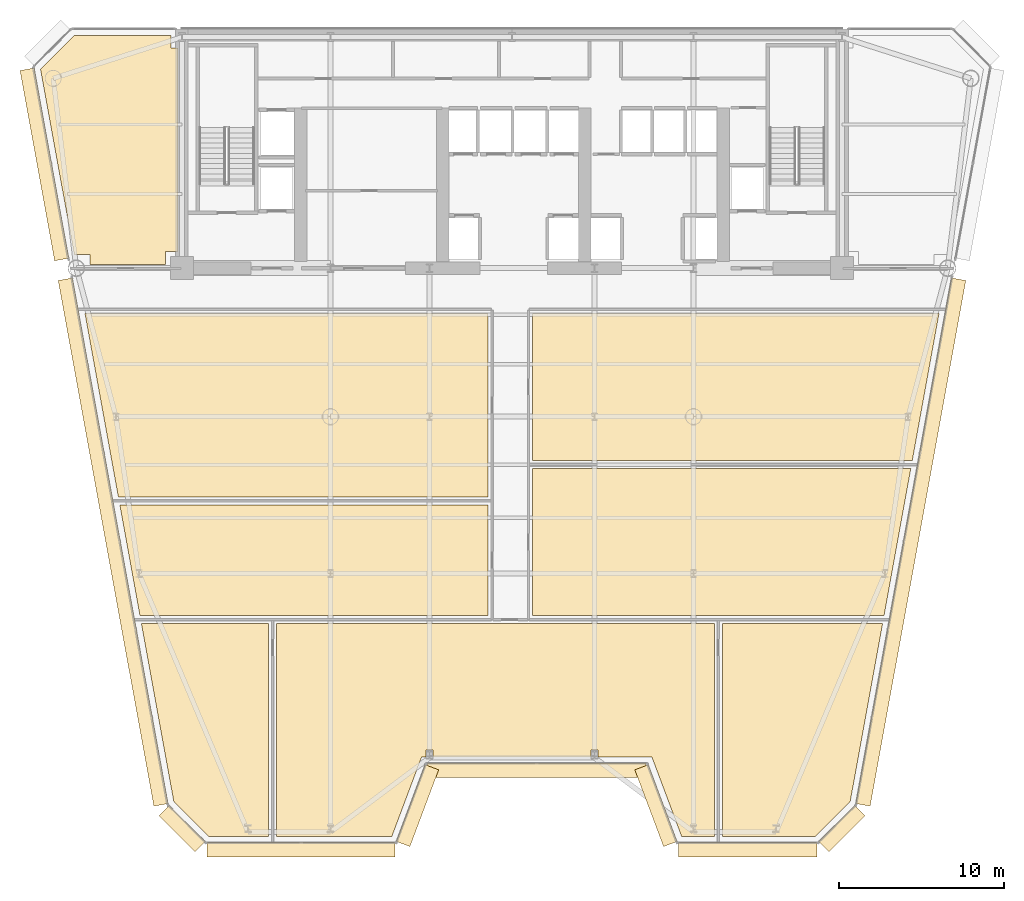
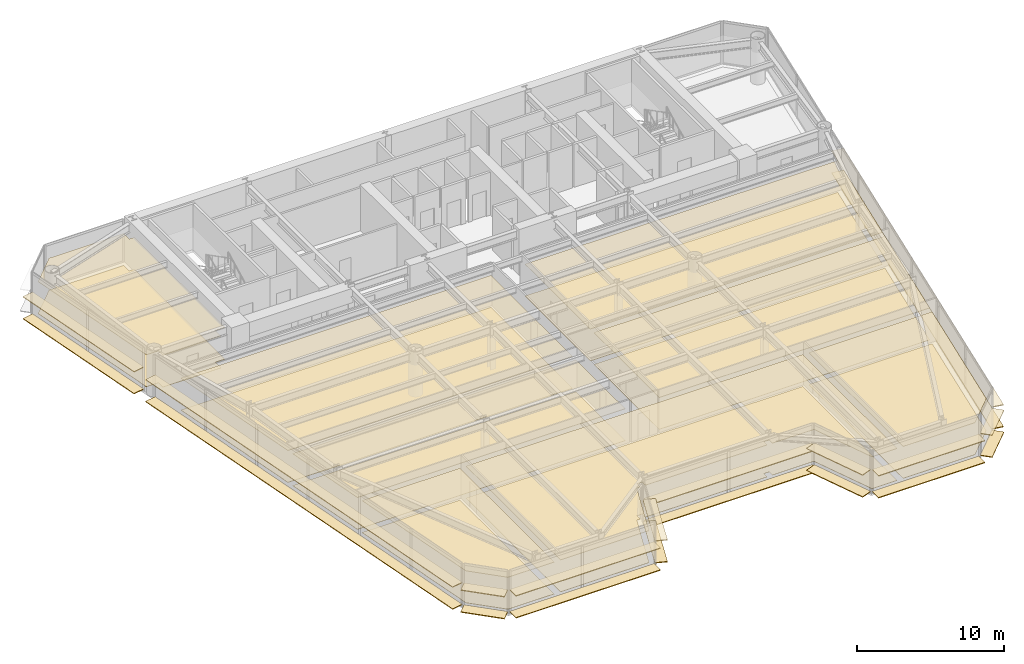
# One storey, part 11 of 14: 36 coverings.
"""IFC4 building model written with IfcOpenShell, lengths in metres."""

from ifc_helpers import new_model, si_unit, direction, frame, origin, origin_2d, place, context, subcontext, project, spatial, polyline, rectangle, outline, extrude, source, transform, mapped, material, layer, layer_set, type_object, element, save


model = new_model("IFC4")

# Units and contexts
model_context = context("Model", 3, precision=1e-05, world=origin(), true_north=direction((0.0, 1.0)))
body_context = subcontext(model_context, "Body", "Model", "MODEL_VIEW")
ifc_project = project(units=[si_unit("LENGTHUNIT", "METRE"), si_unit("AREAUNIT", "SQUARE_METRE"), si_unit("VOLUMEUNIT", "CUBIC_METRE"), si_unit("PLANEANGLEUNIT", "RADIAN"), si_unit("MASSUNIT", "GRAM", prefix="KILO")], contexts=[model_context])

# Site, building, storey
site_placement = place(None, origin())
site = spatial("IfcSite", under=ifc_project, at=site_placement, CompositionType="ELEMENT")
building_placement = place(site_placement, origin())
building = spatial("IfcBuilding", under=site, at=building_placement, Name="Vaeldorn Concourse Tower", CompositionType="ELEMENT")
storey_placement = place(building_placement, frame((0.0, 0.0, 118.60009765625)))
storey = spatial("IfcBuildingStorey", under=building, at=storey_placement, Name="L30", CompositionType="ELEMENT", Elevation=118.60009765625)

# Coverings
ifc_material_1 = material(Name="Acoustic Mineral Fibre Board", Category="gypsum")
ifc_layer_1 = layer(ifc_material_1, 0.0400390625)
ifc_layer_set_1 = layer_set([ifc_layer_1], Name="Acoustic Mineral Fibre Board")
covering_type_1 = type_object("IfcCoveringType", Name="COV-CEIL-ACOUSTIC", PredefinedType="CEILING", material=ifc_layer_set_1)
covering_1_placement = place(storey_placement, frame((0.0, 0.0, 2.64990234375)))
element("IfcCovering", 1, at=covering_1_placement, inside=storey, type_object=covering_type_1, Name="Suspended Acoustic Ceiling L30-3", PredefinedType="CEILING", context=body_context, shape_type="SweptSolid", body=[
    extrude(outline(polyline([(7.4658203125, 50.60009765625), (13.340087890625, 50.60009765625), (13.340087890625, 49.840087890625), (13.760009765625, 49.840087890625), (13.760009765625, 37.5), (13.0, 37.5), (13.0, 36.719970703125), (8.419921875, 36.719970703125), (8.419921875, 37.320068359375), (7.477294921875, 37.320068359375), (5.43115234375, 48.5654296875), (7.4658203125, 50.60009765625)])), origin(), (0.0, 0.0, 1.0), 0.0400390625),
])
covering_2_placement = place(storey_placement, frame((0.0, 0.0, 2.64990234375)))
element("IfcCovering", 2, at=covering_2_placement, inside=storey, type_object=covering_type_1, Name="Suspended Acoustic Ceiling L30-5", PredefinedType="CEILING", context=body_context, shape_type="SweptSolid", body=[
    extrude(outline(polyline([(19.260009765625, 14.9599609375), (19.260009765625, 2.073486328125), (15.6044921875, 2.073486328125), (13.510009765625, 4.16796875), (11.546142578125, 14.9599609375), (19.260009765625, 14.9599609375)])), origin(), (0.0, 0.0, 1.0), 0.0400390625),
])
covering_3_placement = place(storey_placement, frame((0.0, 0.0, 2.64990234375)))
element("IfcCovering", 3, at=covering_3_placement, inside=storey, type_object=covering_type_1, Name="Suspended Acoustic Ceiling L30-6", PredefinedType="CEILING", context=body_context, shape_type="SweptSolid", body=[
    extrude(outline(polyline([(26.722900390625, 2.073486328125), (19.739990234375, 2.073486328125), (19.739990234375, 14.9599609375), (46.260009765625, 14.9599609375), (46.260009765625, 2.073486328125), (44.277099609375, 2.073486328125), (42.477294921875, 6.87353515625), (39.2119140625, 6.87353515625), (39.2119140625, 7.310546875), (38.7880859375, 7.310546875), (38.7880859375, 6.87353515625), (29.2119140625, 6.87353515625), (29.2119140625, 7.310546875), (28.7880859375, 7.310546875), (28.7880859375, 6.87353515625), (28.522705078125, 6.87353515625), (26.722900390625, 2.073486328125)])), origin(), (0.0, 0.0, 1.0), 0.0400390625),
])
covering_4_placement = place(storey_placement, frame((0.0, 0.0, 2.64990234375)))
element("IfcCovering", 4, at=covering_4_placement, inside=storey, type_object=covering_type_1, Name="Suspended Acoustic Ceiling L30-7", PredefinedType="CEILING", context=body_context, shape_type="SweptSolid", body=[
    extrude(outline(polyline([(52.3955078125, 2.073486328125), (46.739990234375, 2.073486328125), (46.739990234375, 14.9599609375), (56.453857421875, 14.9599609375), (54.489990234375, 4.16796875), (52.3955078125, 2.073486328125)])), origin(), (0.0, 0.0, 1.0), 0.0400390625),
])
covering_5_placement = place(storey_placement, frame((0.0, 0.0, 2.64990234375)))
element("IfcCovering", 5, at=covering_5_placement, inside=storey, type_object=covering_type_1, Name="Suspended Acoustic Ceiling L30-8", PredefinedType="CEILING", context=body_context, shape_type="SweptSolid", body=[
    extrude(outline(polyline([(32.56005859375, 22.159912109375), (32.56005859375, 15.43994140625), (11.458984375, 15.43994140625), (10.236083984375, 22.159912109375), (32.56005859375, 22.159912109375)])), origin(), (0.0, 0.0, 1.0), 0.0400390625),
])
covering_6_placement = place(storey_placement, frame((0.0, 0.0, 2.64990234375)))
element("IfcCovering", 6, at=covering_6_placement, inside=storey, type_object=covering_type_1, Name="Suspended Acoustic Ceiling L30-9", PredefinedType="CEILING", context=body_context, shape_type="SweptSolid", body=[
    extrude(outline(polyline([(32.56005859375, 33.760009765625), (32.56005859375, 22.639892578125), (10.148681640625, 22.639892578125), (8.125244140625, 33.760009765625), (32.56005859375, 33.760009765625)])), origin(), (0.0, 0.0, 1.0), 0.0400390625),
])
covering_7_placement = place(storey_placement, frame((0.0, 0.0, 2.64990234375)))
element("IfcCovering", 7, at=covering_7_placement, inside=storey, type_object=covering_type_1, Name="Suspended Acoustic Ceiling L30-10", PredefinedType="CEILING", context=body_context, shape_type="SweptSolid", body=[
    extrude(outline(polyline([(35.239990234375, 15.43994140625), (35.239990234375, 24.360107421875), (58.164306640625, 24.360107421875), (56.541015625, 15.43994140625), (35.239990234375, 15.43994140625)])), origin(), (0.0, 0.0, 1.0), 0.0400390625),
])
covering_8_placement = place(storey_placement, frame((0.0, 0.0, 2.64990234375)))
element("IfcCovering", 8, at=covering_8_placement, inside=storey, type_object=covering_type_1, Name="Suspended Acoustic Ceiling L30-11", PredefinedType="CEILING", context=body_context, shape_type="SweptSolid", body=[
    extrude(outline(polyline([(35.239990234375, 24.840087890625), (35.239990234375, 33.760009765625), (59.874755859375, 33.760009765625), (58.251708984375, 24.840087890625), (35.239990234375, 24.840087890625)])), origin(), (0.0, 0.0, 1.0), 0.0400390625),
])
ifc_material_2 = material(Name="Honed Limestone Terrazzo Flooring", Category="masonry")
ifc_layer_2 = layer(ifc_material_2, 0.0400390625)
ifc_layer_set_2 = layer_set([ifc_layer_2], Name="Honed Limestone Terrazzo Flooring")
covering_type_2 = type_object("IfcCoveringType", Name="COV-FLOOR-STONE", PredefinedType="FLOORING", material=ifc_layer_set_2)
covering_9_placement = place(storey_placement, origin())
element("IfcCovering", 9, at=covering_9_placement, inside=storey, type_object=covering_type_2, Name="Floor Finish Covering L30-3", PredefinedType="FLOORING", context=body_context, shape_type="SweptSolid", body=[
    extrude(outline(polyline([(7.4658203125, 50.60009765625), (13.340087890625, 50.60009765625), (13.340087890625, 49.840087890625), (13.760009765625, 49.840087890625), (13.760009765625, 37.5), (13.0, 37.5), (13.0, 36.719970703125), (8.419921875, 36.719970703125), (8.419921875, 37.320068359375), (7.477294921875, 37.320068359375), (5.43115234375, 48.5654296875), (7.4658203125, 50.60009765625)])), origin(), (0.0, 0.0, 1.0), 0.02978515625),
])
covering_10_placement = place(storey_placement, origin())
element("IfcCovering", 10, at=covering_10_placement, inside=storey, type_object=covering_type_2, Name="Floor Finish Covering L30-5", PredefinedType="FLOORING", context=body_context, shape_type="SweptSolid", body=[
    extrude(outline(polyline([(19.260009765625, 14.9599609375), (19.260009765625, 2.073486328125), (15.6044921875, 2.073486328125), (13.510009765625, 4.16796875), (11.546142578125, 14.9599609375), (19.260009765625, 14.9599609375)])), origin(), (0.0, 0.0, 1.0), 0.02978515625),
])
covering_11_placement = place(storey_placement, origin())
element("IfcCovering", 11, at=covering_11_placement, inside=storey, type_object=covering_type_2, Name="Floor Finish Covering L30-6", PredefinedType="FLOORING", context=body_context, shape_type="SweptSolid", body=[
    extrude(outline(polyline([(26.722900390625, 2.073486328125), (19.739990234375, 2.073486328125), (19.739990234375, 14.9599609375), (46.260009765625, 14.9599609375), (46.260009765625, 2.073486328125), (44.277099609375, 2.073486328125), (42.477294921875, 6.87353515625), (39.2119140625, 6.87353515625), (39.2119140625, 7.310546875), (38.7880859375, 7.310546875), (38.7880859375, 6.87353515625), (29.2119140625, 6.87353515625), (29.2119140625, 7.310546875), (28.7880859375, 7.310546875), (28.7880859375, 6.87353515625), (28.522705078125, 6.87353515625), (26.722900390625, 2.073486328125)])), origin(), (0.0, 0.0, 1.0), 0.02978515625),
])
covering_12_placement = place(storey_placement, origin())
element("IfcCovering", 12, at=covering_12_placement, inside=storey, type_object=covering_type_2, Name="Floor Finish Covering L30-7", PredefinedType="FLOORING", context=body_context, shape_type="SweptSolid", body=[
    extrude(outline(polyline([(52.3955078125, 2.073486328125), (46.739990234375, 2.073486328125), (46.739990234375, 14.9599609375), (56.453857421875, 14.9599609375), (54.489990234375, 4.16796875), (52.3955078125, 2.073486328125)])), origin(), (0.0, 0.0, 1.0), 0.02978515625),
])
covering_13_placement = place(storey_placement, origin())
element("IfcCovering", 13, at=covering_13_placement, inside=storey, type_object=covering_type_2, Name="Floor Finish Covering L30-8", PredefinedType="FLOORING", context=body_context, shape_type="SweptSolid", body=[
    extrude(outline(polyline([(32.56005859375, 22.159912109375), (32.56005859375, 15.43994140625), (11.458984375, 15.43994140625), (10.236083984375, 22.159912109375), (32.56005859375, 22.159912109375)])), origin(), (0.0, 0.0, 1.0), 0.02978515625),
])
covering_14_placement = place(storey_placement, origin())
element("IfcCovering", 14, at=covering_14_placement, inside=storey, type_object=covering_type_2, Name="Floor Finish Covering L30-9", PredefinedType="FLOORING", context=body_context, shape_type="SweptSolid", body=[
    extrude(outline(polyline([(32.56005859375, 33.760009765625), (32.56005859375, 22.639892578125), (10.148681640625, 22.639892578125), (8.125244140625, 33.760009765625), (32.56005859375, 33.760009765625)])), origin(), (0.0, 0.0, 1.0), 0.02978515625),
])
covering_15_placement = place(storey_placement, origin())
element("IfcCovering", 15, at=covering_15_placement, inside=storey, type_object=covering_type_2, Name="Floor Finish Covering L30-10", PredefinedType="FLOORING", context=body_context, shape_type="SweptSolid", body=[
    extrude(outline(polyline([(35.239990234375, 15.43994140625), (35.239990234375, 24.360107421875), (58.164306640625, 24.360107421875), (56.541015625, 15.43994140625), (35.239990234375, 15.43994140625)])), origin(), (0.0, 0.0, 1.0), 0.02978515625),
])
covering_16_placement = place(storey_placement, origin())
element("IfcCovering", 16, at=covering_16_placement, inside=storey, type_object=covering_type_2, Name="Floor Finish Covering L30-11", PredefinedType="FLOORING", context=body_context, shape_type="SweptSolid", body=[
    extrude(outline(polyline([(35.239990234375, 24.840087890625), (35.239990234375, 33.760009765625), (59.874755859375, 33.760009765625), (58.251708984375, 24.840087890625), (35.239990234375, 24.840087890625)])), origin(), (0.0, 0.0, 1.0), 0.02978515625),
])
ifc_material_3 = material(Name="Anodised Bronze Aluminium", Category="aluminium")
ifc_layer_3 = layer(ifc_material_3, 0.06494140625)
ifc_layer_set_3 = layer_set([ifc_layer_3], Name="Anodised Bronze Aluminium")
covering_type_3 = type_object("IfcCoveringType", Name="SD-BRONZE-SUNSHADE", PredefinedType="USERDEFINED", material=ifc_layer_set_3)
shared_shape_1 = source(origin(), body_context, "Body", "SweptSolid", [
    extrude(rectangle(XDim=4.96630859375, YDim=0.8798828125, at=origin_2d()), origin(), (0.0, 0.0, 1.0), 0.06494140625),
])
for number, where, z_axis, x_axis, name in (
    (17, (28.2744140625, 3.93310546875, 0.04736328125), (0.0, 0.0, 1.0), (0.351122702609, 0.936329454686, 0.0), "Horizontal Bronze Sunshade L30-E02.1.1"),
    (18, (28.2744140625, 3.93310546875, 1.867431640625), (0.0, 0.0, 1.0), (0.351122702609, 0.936329454686, 0.0), "Horizontal Bronze Sunshade L30-E02.1.2"),
    (19, (42.7255859375, 3.93310546875, 0.04736328125), (0.0, 0.0, 1.0), (0.351122702609, -0.936329454686, 0.0), "Horizontal Bronze Sunshade L30-E04.1.1"),
    (20, (42.7255859375, 3.93310546875, 1.867431640625), (0.0, 0.0, 1.0), (0.351122702609, -0.936329454686, 0.0), "Horizontal Bronze Sunshade L30-E04.1.2"),
):
    element("IfcCovering", number, at=place(storey_placement, frame(where, z_axis=z_axis, x_axis=x_axis)), inside=storey, type_object=covering_type_3, Name=name, ObjectType="SUNSHADE", PredefinedType="USERDEFINED", context=body_context, shape_type="MappedRepresentation", body=[
        mapped(shared_shape_1, transform((0.0, 0.0, 0.0), scale=1.0)),
    ])
shared_shape_2 = source(origin(), body_context, "Body", "SweptSolid", [
    extrude(rectangle(XDim=13.239990234375, YDim=0.8798828125, at=origin_2d()), origin(), (0.0, 0.0, 1.0), 0.06494140625),
])
for number, where, z_axis, x_axis, name in (
    (21, (35.5, 6.073486328125, 0.04736328125), (0.0, 0.0, 1.0), (1.0, 0.0, 0.0), "Horizontal Bronze Sunshade L30-E03.1.1"),
    (22, (35.5, 6.073486328125, 1.867431640625), (0.0, 0.0, 1.0), (1.0, 0.0, 0.0), "Horizontal Bronze Sunshade L30-E03.1.2"),
):
    element("IfcCovering", number, at=place(storey_placement, frame(where, z_axis=z_axis, x_axis=x_axis)), inside=storey, type_object=covering_type_3, Name=name, ObjectType="SUNSHADE", PredefinedType="USERDEFINED", context=body_context, shape_type="MappedRepresentation", body=[
        mapped(shared_shape_2, transform((0.0, 0.0, 0.0), scale=1.0)),
    ])
shared_shape_3 = source(origin(), body_context, "Body", "SweptSolid", [
    extrude(rectangle(XDim=3.0927734375, YDim=0.8798828125, at=origin_2d()), origin(), (0.0, 0.0, 1.0), 0.06494140625),
])
for number, where, z_axis, x_axis, name in (
    (23, (53.993896484375, 2.540771484375, 0.04736328125), (0.0, 0.0, 1.0), (0.707106781187, 0.707106781187, 0.0), "Horizontal Bronze Sunshade L30-E06.1.1"),
    (24, (53.993896484375, 2.540771484375, 1.867431640625), (0.0, 0.0, 1.0), (0.707106781187, 0.707106781187, 0.0), "Horizontal Bronze Sunshade L30-E06.1.2"),
    (25, (14.006103515625, 2.540771484375, 0.04736328125), (0.0, 0.0, 1.0), (0.707106781187, -0.707106781187, 0.0), "Horizontal Bronze Sunshade L30-E12.1.1"),
    (26, (14.006103515625, 2.540771484375, 1.867431640625), (0.0, 0.0, 1.0), (0.707106781187, -0.707106781187, 0.0), "Horizontal Bronze Sunshade L30-E12.1.2"),
):
    element("IfcCovering", number, at=place(storey_placement, frame(where, z_axis=z_axis, x_axis=x_axis)), inside=storey, type_object=covering_type_3, Name=name, ObjectType="SUNSHADE", PredefinedType="USERDEFINED", context=body_context, shape_type="MappedRepresentation", body=[
        mapped(shared_shape_3, transform((0.0, 0.0, 0.0), scale=1.0)),
    ])
shared_shape_4 = source(origin(), body_context, "Body", "SweptSolid", [
    extrude(rectangle(XDim=11.401123046875, YDim=0.8798828125, at=origin_2d()), origin(), (0.0, 0.0, 1.0), 0.06494140625),
])
for number, where, z_axis, x_axis, name in (
    (27, (21.219482421875, 1.2734375, 0.04736328125), (0.0, 0.0, 1.0), (1.0, 0.0, 0.0), "Horizontal Bronze Sunshade L30-E01.1.1"),
    (28, (21.219482421875, 1.2734375, 1.867431640625), (0.0, 0.0, 1.0), (1.0, 0.0, 0.0), "Horizontal Bronze Sunshade L30-E01.1.2"),
):
    element("IfcCovering", number, at=place(storey_placement, frame(where, z_axis=z_axis, x_axis=x_axis)), inside=storey, type_object=covering_type_3, Name=name, ObjectType="SUNSHADE", PredefinedType="USERDEFINED", context=body_context, shape_type="MappedRepresentation", body=[
        mapped(shared_shape_4, transform((0.0, 0.0, 0.0), scale=1.0)),
    ])
shared_shape_5 = source(origin(), body_context, "Body", "SweptSolid", [
    extrude(rectangle(XDim=8.401123046875, YDim=0.8798828125, at=origin_2d()), origin(), (0.0, 0.0, 1.0), 0.06494140625),
])
for number, where, z_axis, x_axis, name in (
    (29, (48.280517578125, 1.2734375, 0.04736328125), (0.0, 0.0, 1.0), (1.0, 0.0, 0.0), "Horizontal Bronze Sunshade L30-E05.1.1"),
    (30, (48.280517578125, 1.2734375, 1.867431640625), (0.0, 0.0, 1.0), (1.0, 0.0, 0.0), "Horizontal Bronze Sunshade L30-E05.1.2"),
):
    element("IfcCovering", number, at=place(storey_placement, frame(where, z_axis=z_axis, x_axis=x_axis)), inside=storey, type_object=covering_type_3, Name=name, ObjectType="SUNSHADE", PredefinedType="USERDEFINED", context=body_context, shape_type="MappedRepresentation", body=[
        mapped(shared_shape_5, transform((0.0, 0.0, 0.0), scale=1.0)),
    ])
shared_shape_6 = source(origin(), body_context, "Body", "SweptSolid", [
    extrude(rectangle(XDim=32.3740234375, YDim=0.8798828125, at=origin_2d()), origin(), (0.0, 0.0, 1.0), 0.06494140625),
])
for number, where, z_axis, x_axis, name in (
    (31, (58.1669921875, 19.906005859375, 0.04736328125), (0.0, 0.0, 1.0), (0.179025446946, 0.983844443673, 0.0), "Horizontal Bronze Sunshade L30-E07.1.1"),
    (32, (58.1669921875, 19.906005859375, 1.867431640625), (0.0, 0.0, 1.0), (0.179025446946, 0.983844443673, 0.0), "Horizontal Bronze Sunshade L30-E07.1.2"),
    (33, (9.8330078125, 19.906005859375, 0.04736328125), (0.0, 0.0, 1.0), (0.179025446946, -0.983844443673, 0.0), "Horizontal Bronze Sunshade L30-E11.2.1"),
    (34, (9.8330078125, 19.906005859375, 1.867431640625), (0.0, 0.0, 1.0), (0.179025446946, -0.983844443673, 0.0), "Horizontal Bronze Sunshade L30-E11.2.2"),
):
    element("IfcCovering", number, at=place(storey_placement, frame(where, z_axis=z_axis, x_axis=x_axis)), inside=storey, type_object=covering_type_3, Name=name, ObjectType="SUNSHADE", PredefinedType="USERDEFINED", context=body_context, shape_type="MappedRepresentation", body=[
        mapped(shared_shape_6, transform((0.0, 0.0, 0.0), scale=1.0)),
    ])
shared_shape_7 = source(origin(), body_context, "Body", "SweptSolid", [
    extrude(rectangle(XDim=11.7138671875, YDim=0.8798828125, at=origin_2d()), origin(), (0.0, 0.0, 1.0), 0.06494140625),
])
for number, where, z_axis, x_axis, name in (
    (35, (5.66943359375, 42.787353515625, 0.04736328125), (0.0, 0.0, 1.0), (0.179025446946, -0.983844443673, 0.0), "Horizontal Bronze Sunshade L30-E11.1.1"),
    (36, (5.66943359375, 42.787353515625, 1.867431640625), (0.0, 0.0, 1.0), (0.179025446946, -0.983844443673, 0.0), "Horizontal Bronze Sunshade L30-E11.1.2"),
):
    element("IfcCovering", number, at=place(storey_placement, frame(where, z_axis=z_axis, x_axis=x_axis)), inside=storey, type_object=covering_type_3, Name=name, ObjectType="SUNSHADE", PredefinedType="USERDEFINED", context=body_context, shape_type="MappedRepresentation", body=[
        mapped(shared_shape_7, transform((0.0, 0.0, 0.0), scale=1.0)),
    ])

save(model, "model.ifc")
